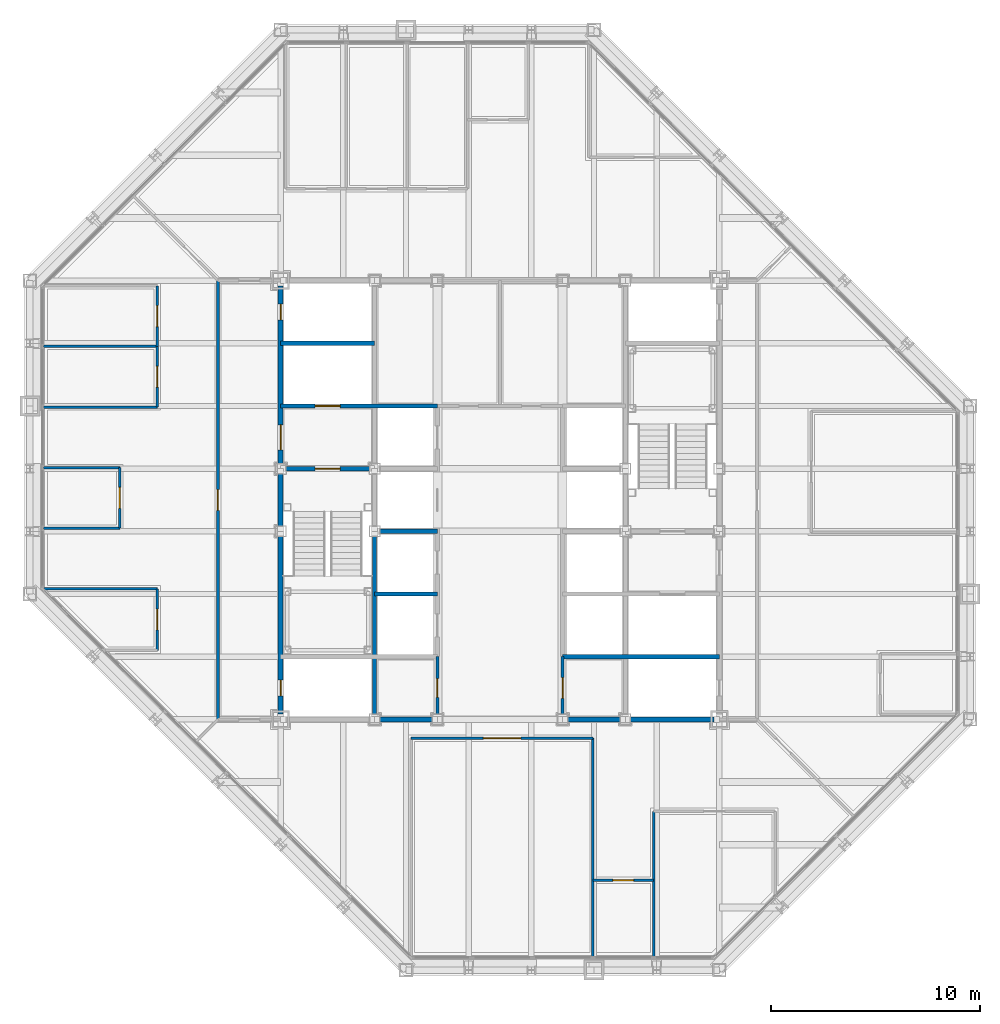
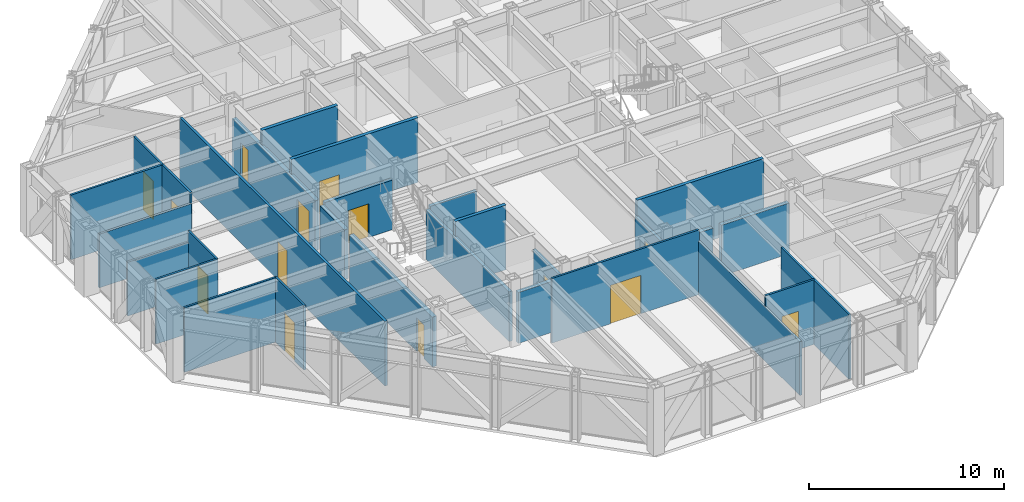
# One storey, part 11 of 16: 29 walls, 14 doors, 14 openings.
"""IFC4 building model written with IfcOpenShell, lengths in metres."""

from ifc_helpers import new_model, si_unit, direction, frame, frame_2d, origin, place, context, subcontext, project, spatial, rectangle, extrude, material, layer, layer_set, type_object, element, fill, save


model = new_model("IFC4")

# Units and contexts
model_context = context("Model", 3, precision=1e-05, world=origin(), true_north=direction((0.0, 1.0)))
body_context = subcontext(model_context, "Body", "Model", "MODEL_VIEW")
ifc_project = project(units=[si_unit("LENGTHUNIT", "METRE"), si_unit("AREAUNIT", "SQUARE_METRE"), si_unit("VOLUMEUNIT", "CUBIC_METRE"), si_unit("PLANEANGLEUNIT", "RADIAN"), si_unit("MASSUNIT", "GRAM", prefix="KILO")], contexts=[model_context])

# Site, building, storey
site_placement = place(None, origin())
site = spatial("IfcSite", under=ifc_project, at=site_placement, CompositionType="ELEMENT")
building_placement = place(site_placement, origin())
building = spatial("IfcBuilding", under=site, at=building_placement, Name="Chuquiago Exchange Tower", CompositionType="ELEMENT")
storey_placement = place(building_placement, frame((0.0, 0.0, 230.699951171875)))
storey = spatial("IfcBuildingStorey", under=building, at=storey_placement, Name="L51", CompositionType="ELEMENT", Elevation=230.699951171875)

# Wall, opening, door
ifc_material_1 = material(Name="Concrete masonry, fully grouted", Category="masonry")
ifc_layer_1 = layer(ifc_material_1, 0.25)
ifc_layer_set_1 = layer_set([ifc_layer_1], Name="W1 core wall 250")
wall_type_1 = type_object("IfcWallType", Name="W1 core wall 250", PredefinedType="SOLIDWALL", material=ifc_layer_set_1)
wall_1_placement = place(storey_placement, frame((12.0, 12.25, 0.0), z_axis=(0.0, 0.0, 1.0), x_axis=(0.0, 1.0, 0.0)))
wall_1 = element("IfcWall", 1, at=wall_1_placement, inside=storey, type_object=wall_type_1, Name="CW-L51-00-0", PredefinedType="SOLIDWALL", context=body_context, shape_type="SweptSolid", body=[
    extrude(rectangle(XDim=8.5, YDim=0.25, at=frame_2d((4.25, 0.0))), origin(), (0.0, 0.0, 1.0), 3.113037109375),
])
opening_1_placement = place(wall_1_placement, frame((0.875, 0.0, 0.0)))
opening_1 = element("IfcOpeningElement", 2, at=opening_1_placement, cuts=wall_1, Name="Opening L51-007", PredefinedType="OPENING", context=body_context, shape_type="SweptSolid", body=[
    extrude(rectangle(XDim=0.75, YDim=2.10009765625, at=frame_2d((0.375, 1.050048828125))), frame((0.0, 0.135009765625, 0.0), z_axis=(0.0, -1.0, 0.0), x_axis=(1.0, 0.0, 0.0)), (0.0, 0.0, 1.0), 0.27001953125),
])
ifc_material_2 = material(Name="Steel door, painted", Category="steel")
door_type_1 = type_object("IfcDoorType", Name="D6 riser access door 750x2100", OperationType="SINGLE_SWING_LEFT", PredefinedType="DOOR", material=ifc_material_2)
door_1_placement = place(opening_1_placement, origin())
door_1 = element("IfcDoor", 3, at=door_1_placement, inside=storey, type_object=door_type_1, Name="Riser RW1 door", OperationType="SINGLE_SWING_LEFT", OverallHeight=2.10009765625, OverallWidth=0.75, PredefinedType="DOOR", context=body_context, shape_type="SweptSolid", body=[
    extrude(rectangle(XDim=0.75, YDim=2.10009765625, at=frame_2d((0.375, 1.050048828125))), frame((0.0, 0.02490234375, 0.0), z_axis=(0.0, -1.0, 0.0), x_axis=(1.0, 0.0, 0.0)), (0.0, 0.0, 1.0), 0.050048828125),
])
fill(opening_1, door_1)

# Wall
wall_2_placement = place(storey_placement, frame((12.0, 21.25, 0.0), z_axis=(0.0, 0.0, 1.0), x_axis=(0.0, 1.0, 0.0)))
element("IfcWall", 4, at=wall_2_placement, inside=storey, type_object=wall_type_1, Name="CW-L51-00-1", PredefinedType="SOLIDWALL", context=body_context, shape_type="SweptSolid", body=[
    extrude(rectangle(XDim=2.5, YDim=0.25, at=frame_2d((1.25, 0.0))), origin(), (0.0, 0.0, 1.0), 3.113037109375),
])

# Wall, openings, doors
wall_3_placement = place(storey_placement, frame((12.0, 24.25, 0.0), z_axis=(0.0, 0.0, 1.0), x_axis=(0.0, 1.0, 0.0)))
wall_3 = element("IfcWall", 5, at=wall_3_placement, inside=storey, type_object=wall_type_1, Name="CW-L51-00-2", PredefinedType="SOLIDWALL", context=body_context, shape_type="SweptSolid", body=[
    extrude(rectangle(XDim=8.5, YDim=0.25, at=frame_2d((4.25, 0.0))), origin(), (0.0, 0.0, 1.0), 3.113037109375),
])
opening_2_placement = place(wall_3_placement, frame((0.64990234375, 0.0, 0.0)))
opening_2 = element("IfcOpeningElement", 6, at=opening_2_placement, cuts=wall_3, Name="Opening L51-002", PredefinedType="OPENING", context=body_context, shape_type="SweptSolid", body=[
    extrude(rectangle(XDim=1.199951171875, YDim=2.10009765625, at=frame_2d((0.60009765625, 1.050048828125))), frame((0.0, 0.135009765625, 0.0), z_axis=(0.0, -1.0, 0.0), x_axis=(1.0, 0.0, 0.0)), (0.0, 0.0, 1.0), 0.27001953125),
])
opening_3_placement = place(wall_3_placement, frame((6.875, 0.0, 0.0)))
opening_3 = element("IfcOpeningElement", 7, at=opening_3_placement, cuts=wall_3, Name="Opening L51-008", PredefinedType="OPENING", context=body_context, shape_type="SweptSolid", body=[
    extrude(rectangle(XDim=0.75, YDim=2.10009765625, at=frame_2d((0.375, 1.050048828125))), frame((0.0, 0.135009765625, 0.0), z_axis=(0.0, -1.0, 0.0), x_axis=(1.0, 0.0, 0.0)), (0.0, 0.0, 1.0), 0.27001953125),
])
ifc_material_3 = material(Name="Steel door, painted", Category="steel")
door_type_2 = type_object("IfcDoorType", Name="D5 firefighting lobby door 1200x2100", OperationType="SINGLE_SWING_LEFT", PredefinedType="DOOR", material=ifc_material_3)
door_2_placement = place(opening_2_placement, frame((1.199951171875, 0.0, 0.0), z_axis=(0.0, 0.0, 1.0), x_axis=(-1.0, 0.0, 0.0)))
door_2 = element("IfcDoor", 8, at=door_2_placement, inside=storey, type_object=door_type_2, Name="Firefighting lobby 1 door", OperationType="SINGLE_SWING_RIGHT", OverallHeight=2.10009765625, OverallWidth=1.199951171875, PredefinedType="DOOR", context=body_context, shape_type="SweptSolid", body=[
    extrude(rectangle(XDim=1.199951171875, YDim=2.10009765625, at=frame_2d((0.60009765625, 1.050048828125))), frame((0.0, 0.02490234375, 0.0), z_axis=(0.0, -1.0, 0.0), x_axis=(1.0, 0.0, 0.0)), (0.0, 0.0, 1.0), 0.050048828125),
])
fill(opening_2, door_2)
door_3_placement = place(opening_3_placement, origin())
door_3 = element("IfcDoor", 9, at=door_3_placement, inside=storey, type_object=door_type_1, Name="Riser RW2 door", OperationType="SINGLE_SWING_RIGHT", OverallHeight=2.10009765625, OverallWidth=0.75, PredefinedType="DOOR", context=body_context, shape_type="SweptSolid", body=[
    extrude(rectangle(XDim=0.75, YDim=2.10009765625, at=frame_2d((0.375, 1.050048828125))), frame((0.0, 0.02490234375, 0.0), z_axis=(0.0, -1.0, 0.0), x_axis=(1.0, 0.0, 0.0)), (0.0, 0.0, 1.0), 0.050048828125),
])
fill(opening_3, door_3)

# Walls
for number, where, z_axis, x_axis, name in (
    (10, (16.75, 12.0, 0.0), (0.0, 0.0, 1.0), (1.0, 0.0, 0.0), "CW-L51-01-1"),
    (11, (25.75, 12.0, 0.0), (0.0, 0.0, 1.0), (1.0, 0.0, 0.0), "CW-L51-02-0"),
):
    element("IfcWall", number, at=place(storey_placement, frame(where, z_axis=z_axis, x_axis=x_axis)), inside=storey, type_object=wall_type_1, Name=name, PredefinedType="SOLIDWALL", context=body_context, shape_type="SweptSolid", body=[
        extrude(rectangle(XDim=2.5, YDim=0.25, at=frame_2d((1.25, 0.0))), origin(), (0.0, 0.0, 1.0), 3.181640625),
    ])
wall_4_placement = place(storey_placement, frame((28.75, 12.0, 0.0), z_axis=(0.0, 0.0, 1.0), x_axis=(1.0, 0.0, 0.0)))
element("IfcWall", 12, at=wall_4_placement, inside=storey, type_object=wall_type_1, Name="CW-L51-02-1", PredefinedType="SOLIDWALL", context=body_context, shape_type="SweptSolid", body=[
    extrude(rectangle(XDim=4.0, YDim=0.25, at=frame_2d((2.0, 0.0))), origin(), (0.0, 0.0, 1.0), 3.181640625),
])

# Wall, opening, door
ifc_material_4 = material(Name="Gypsum board on steel studs, acoustic insulation", Category="steel")
ifc_layer_2 = layer(ifc_material_4, 0.14990234375)
ifc_layer_set_2 = layer_set([ifc_layer_2], Name="W11 corridor wall 150")
wall_type_2 = type_object("IfcWallType", Name="W11 corridor wall 150", PredefinedType="PARTITIONING", material=ifc_layer_set_2)
wall_5_placement = place(storey_placement, frame((9.0, 12.0, 0.0), z_axis=(0.0, 0.0, 1.0), x_axis=(0.0, 1.0, 0.0)))
wall_5 = element("IfcWall", 13, at=wall_5_placement, inside=storey, type_object=wall_type_2, Name="PW-L51-GW0", PredefinedType="PARTITIONING", context=body_context, shape_type="SweptSolid", body=[
    extrude(rectangle(XDim=21.0, YDim=0.14990234375, at=frame_2d((10.5, 0.0))), origin(), (0.0, 0.0, 1.0), 4.0400390625),
])
opening_4_placement = place(wall_5_placement, frame((10.0, 0.0, 0.0)))
opening_4 = element("IfcOpeningElement", 14, at=opening_4_placement, cuts=wall_5, Name="Opening L51-033", PredefinedType="OPENING", context=body_context, shape_type="SweptSolid", body=[
    extrude(rectangle(XDim=1.0, YDim=2.39990234375, at=frame_2d((0.5, 1.199951171875))), frame((0.0, 0.0849609375, 0.0), z_axis=(0.0, -1.0, 0.0), x_axis=(1.0, 0.0, 0.0)), (0.0, 0.0, 1.0), 0.169921875),
])
ifc_material_5 = material(Name="Timber door, laminate faced", Category="wood")
door_type_3 = type_object("IfcDoorType", Name="D9 room door 1000x2400", OperationType="SINGLE_SWING_LEFT", PredefinedType="DOOR", material=ifc_material_5)
door_4_placement = place(opening_4_placement, origin())
door_4 = element("IfcDoor", 15, at=door_4_placement, inside=storey, type_object=door_type_3, Name="Team area door", OperationType="SINGLE_SWING_LEFT", OverallHeight=2.39990234375, OverallWidth=1.0, PredefinedType="DOOR", context=body_context, shape_type="SweptSolid", body=[
    extrude(rectangle(XDim=1.0, YDim=2.39990234375, at=frame_2d((0.5, 1.199951171875))), frame((0.0, 0.02490234375, 0.0), z_axis=(0.0, -1.0, 0.0), x_axis=(1.0, 0.0, 0.0)), (0.0, 0.0, 1.0), 0.050048828125),
])
fill(opening_4, door_4)

# Wall
ifc_material_6 = material(Name="Concrete masonry, fully grouted", Category="masonry")
ifc_layer_3 = layer(ifc_material_6, 0.199951171875)
ifc_layer_set_3 = layer_set([ifc_layer_3], Name="W2 shaft wall 200")
wall_type_3 = type_object("IfcWallType", Name="W2 shaft wall 200", PredefinedType="SOLIDWALL", material=ifc_layer_set_3)
wall_6_placement = place(storey_placement, frame((25.5, 15.0, 0.0), z_axis=(0.0, 0.0, 1.0), x_axis=(1.0, 0.0, 0.0)))
element("IfcWall", 16, at=wall_6_placement, inside=storey, type_object=wall_type_3, Name="CW-L51-04-0", PredefinedType="SOLIDWALL", context=body_context, shape_type="SweptSolid", body=[
    extrude(rectangle(XDim=7.5, YDim=0.199951171875, at=frame_2d((3.75, 0.0))), origin(), (0.0, 0.0, 1.0), 4.0400390625),
])

# Wall, opening, door
wall_7_placement = place(storey_placement, frame((12.25, 24.0, 0.0), z_axis=(0.0, 0.0, 1.0), x_axis=(1.0, 0.0, 0.0)))
wall_7 = element("IfcWall", 17, at=wall_7_placement, inside=storey, type_object=wall_type_3, Name="CW-L51-05-0", PredefinedType="SOLIDWALL", context=body_context, shape_type="SweptSolid", body=[
    extrude(rectangle(XDim=4.0, YDim=0.199951171875, at=frame_2d((2.0, 0.0))), origin(), (0.0, 0.0, 1.0), 3.090087890625),
])
opening_5_placement = place(wall_7_placement, frame((1.39990234375, 0.0, 0.0)))
opening_5 = element("IfcOpeningElement", 18, at=opening_5_placement, cuts=wall_7, Name="Opening L51-001", PredefinedType="OPENING", context=body_context, shape_type="SweptSolid", body=[
    extrude(rectangle(XDim=1.199951171875, YDim=2.10009765625, at=frame_2d((0.60009765625, 1.050048828125))), frame((0.0, 0.10986328125, 0.0), z_axis=(0.0, -1.0, 0.0), x_axis=(1.0, 0.0, 0.0)), (0.0, 0.0, 1.0), 0.219970703125),
])
ifc_material_7 = material(Name="Steel door, painted", Category="steel")
door_type_4 = type_object("IfcDoorType", Name="D4 stair door 1200x2100", OperationType="SINGLE_SWING_LEFT", PredefinedType="DOOR", material=ifc_material_7)
door_5_placement = place(opening_5_placement, frame((1.199951171875, 0.0, 0.0), z_axis=(0.0, 0.0, 1.0), x_axis=(-1.0, 0.0, 0.0)))
door_5 = element("IfcDoor", 19, at=door_5_placement, inside=storey, type_object=door_type_4, Name="Stair ST1 door", OperationType="SINGLE_SWING_RIGHT", OverallHeight=2.10009765625, OverallWidth=1.199951171875, PredefinedType="DOOR", context=body_context, shape_type="SweptSolid", body=[
    extrude(rectangle(XDim=1.199951171875, YDim=2.10009765625, at=frame_2d((0.60009765625, 1.050048828125))), frame((0.0, 0.02490234375, 0.0), z_axis=(0.0, -1.0, 0.0), x_axis=(1.0, 0.0, 0.0)), (0.0, 0.0, 1.0), 0.050048828125),
])
fill(opening_5, door_5)

wall_8_placement = place(storey_placement, frame((12.0, 27.0, 0.0), z_axis=(0.0, 0.0, 1.0), x_axis=(1.0, 0.0, 0.0)))
wall_8 = element("IfcWall", 20, at=wall_8_placement, inside=storey, type_object=wall_type_3, Name="CW-L51-07-0", PredefinedType="SOLIDWALL", context=body_context, shape_type="SweptSolid", body=[
    extrude(rectangle(XDim=7.5, YDim=0.199951171875, at=frame_2d((3.75, 0.0))), origin(), (0.0, 0.0, 1.0), 4.0400390625),
])
opening_6_placement = place(wall_8_placement, frame((1.64990234375, 0.0, 0.0)))
opening_6 = element("IfcOpeningElement", 21, at=opening_6_placement, cuts=wall_8, Name="Opening L51-005", PredefinedType="OPENING", context=body_context, shape_type="SweptSolid", body=[
    extrude(rectangle(XDim=1.199951171875, YDim=2.10009765625, at=frame_2d((0.60009765625, 1.050048828125))), frame((0.0, 0.10986328125, 0.0), z_axis=(0.0, -1.0, 0.0), x_axis=(1.0, 0.0, 0.0)), (0.0, 0.0, 1.0), 0.219970703125),
])
ifc_material_8 = material(Name="Stainless steel lift landing door", Category="steel")
door_type_5 = type_object("IfcDoorType", Name="LD2 firefighting lift landing door 1200x2100", OperationType="DOUBLE_DOOR_SLIDING", PredefinedType="DOOR", material=ifc_material_8)
door_6_placement = place(opening_6_placement, origin())
door_6 = element("IfcDoor", 22, at=door_6_placement, inside=storey, type_object=door_type_5, Name="Firefighting lift FL1 landing door", OperationType="DOUBLE_DOOR_SLIDING", OverallHeight=2.10009765625, OverallWidth=1.199951171875, PredefinedType="DOOR", context=body_context, shape_type="SweptSolid", body=[
    extrude(rectangle(XDim=1.199951171875, YDim=2.10009765625, at=frame_2d((0.60009765625, 1.050048828125))), frame((0.0, 0.02490234375, 0.0), z_axis=(0.0, -1.0, 0.0), x_axis=(1.0, 0.0, 0.0)), (0.0, 0.0, 1.0), 0.050048828125),
])
fill(opening_6, door_6)

# Walls
wall_9_placement = place(storey_placement, frame((12.0, 30.0, 0.0), z_axis=(0.0, 0.0, 1.0), x_axis=(1.0, 0.0, 0.0)))
element("IfcWall", 23, at=wall_9_placement, inside=storey, type_object=wall_type_3, Name="CW-L51-09-0", PredefinedType="SOLIDWALL", context=body_context, shape_type="SweptSolid", body=[
    extrude(rectangle(XDim=4.5, YDim=0.199951171875, at=frame_2d((2.25, 0.0))), origin(), (0.0, 0.0, 1.0), 4.0400390625),
])
wall_10_placement = place(storey_placement, frame((16.5, 12.25, 0.0), z_axis=(0.0, 0.0, 1.0), x_axis=(0.0, 1.0, 0.0)))
element("IfcWall", 24, at=wall_10_placement, inside=storey, type_object=wall_type_3, Name="CW-L51-13-0", PredefinedType="SOLIDWALL", context=body_context, shape_type="SweptSolid", body=[
    extrude(rectangle(XDim=8.5, YDim=0.199951171875, at=frame_2d((4.25, 0.0))), origin(), (0.0, 0.0, 1.0), 3.113037109375),
])
wall_11_placement = place(storey_placement, frame((16.5, 18.0, 0.0), z_axis=(0.0, 0.0, 1.0), x_axis=(1.0, 0.0, 0.0)))
element("IfcWall", 25, at=wall_11_placement, inside=storey, type_object=wall_type_3, Name="CW-L51-14-0", PredefinedType="SOLIDWALL", context=body_context, shape_type="SweptSolid", body=[
    extrude(rectangle(XDim=3.0, YDim=0.199951171875, at=frame_2d((1.5, 0.0))), origin(), (0.0, 0.0, 1.0), 4.0400390625),
])
wall_12_placement = place(storey_placement, frame((16.75, 21.0, 0.0), z_axis=(0.0, 0.0, 1.0), x_axis=(1.0, 0.0, 0.0)))
element("IfcWall", 26, at=wall_12_placement, inside=storey, type_object=wall_type_3, Name="CW-L51-16-0", PredefinedType="SOLIDWALL", context=body_context, shape_type="SweptSolid", body=[
    extrude(rectangle(XDim=2.75, YDim=0.199951171875, at=frame_2d((1.375, 0.0))), origin(), (0.0, 0.0, 1.0), 3.090087890625),
])

# Wall, opening, door
ifc_material_9 = material(Name="Gypsum board on steel studs", Category="steel")
ifc_layer_4 = layer(ifc_material_9, 0.14990234375)
ifc_layer_set_4 = layer_set([ifc_layer_4], Name="W3 core partition 150")
wall_type_4 = type_object("IfcWallType", Name="W3 core partition 150", PredefinedType="PARTITIONING", material=ifc_layer_set_4)
wall_13_placement = place(storey_placement, frame((19.5, 12.25, 0.0), z_axis=(0.0, 0.0, 1.0), x_axis=(0.0, 1.0, 0.0)))
wall_13 = element("IfcWall", 27, at=wall_13_placement, inside=storey, type_object=wall_type_4, Name="CW-L51-18-0", PredefinedType="PARTITIONING", context=body_context, shape_type="SweptSolid", body=[
    extrude(rectangle(XDim=2.75, YDim=0.14990234375, at=frame_2d((1.375, 0.0))), origin(), (0.0, 0.0, 1.0), 3.064697265625),
])
opening_7_placement = place(wall_13_placement, frame((0.800048828125, 0.0, 0.0)))
opening_7 = element("IfcOpeningElement", 28, at=opening_7_placement, cuts=wall_13, Name="Opening L51-014", PredefinedType="OPENING", context=body_context, shape_type="SweptSolid", body=[
    extrude(rectangle(XDim=0.89990234375, YDim=2.10009765625, at=frame_2d((0.449951171875, 1.050048828125))), frame((0.0, 0.0849609375, 0.0), z_axis=(0.0, -1.0, 0.0), x_axis=(1.0, 0.0, 0.0)), (0.0, 0.0, 1.0), 0.169921875),
])
ifc_material_10 = material(Name="Timber door, laminate faced", Category="wood")
door_type_6 = type_object("IfcDoorType", Name="D7 toilet door 900x2100", OperationType="SINGLE_SWING_LEFT", PredefinedType="DOOR", material=ifc_material_10)
door_7_placement = place(opening_7_placement, frame((0.89990234375, 0.0, 0.0), z_axis=(0.0, 0.0, 1.0), x_axis=(-1.0, 0.0, 0.0)))
door_7 = element("IfcDoor", 29, at=door_7_placement, inside=storey, type_object=door_type_6, Name="Cleaner door", OperationType="SINGLE_SWING_RIGHT", OverallHeight=2.10009765625, OverallWidth=0.89990234375, PredefinedType="DOOR", context=body_context, shape_type="SweptSolid", body=[
    extrude(rectangle(XDim=0.89990234375, YDim=2.10009765625, at=frame_2d((0.449951171875, 1.050048828125))), frame((0.0, 0.02490234375, 0.0), z_axis=(0.0, -1.0, 0.0), x_axis=(1.0, 0.0, 0.0)), (0.0, 0.0, 1.0), 0.050048828125),
])
fill(opening_7, door_7)

wall_14_placement = place(storey_placement, frame((25.5, 12.25, 0.0), z_axis=(0.0, 0.0, 1.0), x_axis=(0.0, 1.0, 0.0)))
wall_14 = element("IfcWall", 30, at=wall_14_placement, inside=storey, type_object=wall_type_4, Name="CW-L51-21-0", PredefinedType="PARTITIONING", context=body_context, shape_type="SweptSolid", body=[
    extrude(rectangle(XDim=2.75, YDim=0.14990234375, at=frame_2d((1.375, 0.0))), origin(), (0.0, 0.0, 1.0), 3.064697265625),
])
opening_8_placement = place(wall_14_placement, frame((0.75, 0.0, 0.0)))
opening_8 = element("IfcOpeningElement", 31, at=opening_8_placement, cuts=wall_14, Name="Opening L51-013", PredefinedType="OPENING", context=body_context, shape_type="SweptSolid", body=[
    extrude(rectangle(XDim=1.0, YDim=2.10009765625, at=frame_2d((0.5, 1.050048828125))), frame((0.0, 0.0849609375, 0.0), z_axis=(0.0, -1.0, 0.0), x_axis=(1.0, 0.0, 0.0)), (0.0, 0.0, 1.0), 0.169921875),
])
ifc_material_11 = material(Name="Timber door, laminate faced", Category="wood")
door_type_7 = type_object("IfcDoorType", Name="D8 accessible toilet door 1000x2100", OperationType="SLIDING_TO_LEFT", PredefinedType="DOOR", material=ifc_material_11)
door_8_placement = place(opening_8_placement, origin())
door_8 = element("IfcDoor", 32, at=door_8_placement, inside=storey, type_object=door_type_7, Name="Accessible WC door", OperationType="SLIDING_TO_LEFT", OverallHeight=2.10009765625, OverallWidth=1.0, PredefinedType="DOOR", context=body_context, shape_type="SweptSolid", body=[
    extrude(rectangle(XDim=1.0, YDim=2.10009765625, at=frame_2d((0.5, 1.050048828125))), frame((0.0, 0.02490234375, 0.0), z_axis=(0.0, -1.0, 0.0), x_axis=(1.0, 0.0, 0.0)), (0.0, 0.0, 1.0), 0.050048828125),
])
fill(opening_8, door_8)

# Walls
ifc_material_12 = material(Name="Gypsum board on steel studs", Category="steel")
ifc_layer_5 = layer(ifc_material_12, 0.1201171875)
ifc_layer_set_5 = layer_set([ifc_layer_5], Name="W4 partition 120")
wall_type_5 = type_object("IfcWallType", Name="W4 partition 120", PredefinedType="PARTITIONING", material=ifc_layer_set_5)
wall_15_placement = place(storey_placement, frame((26.9501953125, 0.652587890625, 0.0), z_axis=(0.0, 0.0, 1.0), x_axis=(0.0, 1.0, 0.0)))
element("IfcWall", 33, at=wall_15_placement, inside=storey, type_object=wall_type_5, Name="PW-L51-S02695", PredefinedType="PARTITIONING", context=body_context, shape_type="SweptSolid", body=[
    extrude(rectangle(XDim=10.447509765625, YDim=0.1201171875, at=frame_2d((5.2236328125, 0.0))), origin(), (0.0, 0.0, 1.0), 3.35693359375),
])
wall_16_placement = place(storey_placement, frame((29.850830078125, 0.652587890625, 0.0), z_axis=(0.0, 0.0, 1.0), x_axis=(0.0, 1.0, 0.0)))
element("IfcWall", 34, at=wall_16_placement, inside=storey, type_object=wall_type_5, Name="PW-L51-S02985", PredefinedType="PARTITIONING", context=body_context, shape_type="SweptSolid", body=[
    extrude(rectangle(XDim=6.947509765625, YDim=0.1201171875, at=frame_2d((3.4736328125, 0.0))), origin(), (0.0, 0.0, 1.0), 4.0400390625),
])

# Wall, opening, door
wall_17_placement = place(storey_placement, frame((18.24853515625, 11.10009765625, 0.0), z_axis=(0.0, 0.0, 1.0), x_axis=(1.0, 0.0, 0.0)))
wall_17 = element("IfcWall", 35, at=wall_17_placement, inside=storey, type_object=wall_type_5, Name="PW-L51-SF01825", PredefinedType="PARTITIONING", context=body_context, shape_type="SweptSolid", body=[
    extrude(rectangle(XDim=8.70166015625, YDim=0.1201171875, at=frame_2d((4.350830078125, 0.0))), origin(), (0.0, 0.0, 1.0), 4.0400390625),
])
opening_9_placement = place(wall_17_placement, frame((3.450927734375, 0.0, 0.0)))
opening_9 = element("IfcOpeningElement", 36, at=opening_9_placement, cuts=wall_17, Name="Opening L51-019", PredefinedType="OPENING", context=body_context, shape_type="SweptSolid", body=[
    extrude(rectangle(XDim=1.800048828125, YDim=2.39990234375, at=frame_2d((0.89990234375, 1.199951171875))), frame((0.0, 0.070068359375, 0.0), z_axis=(0.0, -1.0, 0.0), x_axis=(1.0, 0.0, 0.0)), (0.0, 0.0, 1.0), 0.14013671875),
])
ifc_material_13 = material(Name="Timber door pair, laminate faced", Category="wood")
door_type_8 = type_object("IfcDoorType", Name="D15 double room door 1800x2400", OperationType="DOUBLE_DOOR_DOUBLE_SWING", PredefinedType="DOOR", material=ifc_material_13)
door_9_placement = place(opening_9_placement, origin())
door_9 = element("IfcDoor", 37, at=door_9_placement, inside=storey, type_object=door_type_8, Name="Trading room door", OperationType="DOUBLE_DOOR_DOUBLE_SWING", OverallHeight=2.39990234375, OverallWidth=1.800048828125, PredefinedType="DOOR", context=body_context, shape_type="SweptSolid", body=[
    extrude(rectangle(XDim=1.800048828125, YDim=2.39990234375, at=frame_2d((0.89990234375, 1.199951171875))), frame((0.0, 0.02490234375, 0.0), z_axis=(0.0, -1.0, 0.0), x_axis=(1.0, 0.0, 0.0)), (0.0, 0.0, 1.0), 0.050048828125),
])
fill(opening_9, door_9)

wall_18_placement = place(storey_placement, frame((26.9501953125, 4.300048828125, 0.0), z_axis=(0.0, 0.0, 1.0), x_axis=(1.0, 0.0, 0.0)))
wall_18 = element("IfcWall", 38, at=wall_18_placement, inside=storey, type_object=wall_type_5, Name="PW-L51-SF02695", PredefinedType="PARTITIONING", context=body_context, shape_type="SweptSolid", body=[
    extrude(rectangle(XDim=2.900634765625, YDim=0.1201171875, at=frame_2d((1.4501953125, 0.0))), origin(), (0.0, 0.0, 1.0), 4.0400390625),
])
opening_10_placement = place(wall_18_placement, frame((0.9501953125, 0.0, 0.0)))
opening_10 = element("IfcOpeningElement", 39, at=opening_10_placement, cuts=wall_18, Name="Opening L51-020", PredefinedType="OPENING", context=body_context, shape_type="SweptSolid", body=[
    extrude(rectangle(XDim=1.0, YDim=2.39990234375, at=frame_2d((0.5, 1.199951171875))), frame((0.0, 0.070068359375, 0.0), z_axis=(0.0, -1.0, 0.0), x_axis=(1.0, 0.0, 0.0)), (0.0, 0.0, 1.0), 0.14013671875),
])
ifc_material_14 = material(Name="Timber frame door, full height glazed panel", Category="wood")
door_type_9 = type_object("IfcDoorType", Name="D14 glazed meeting room door 1000x2400", OperationType="SINGLE_SWING_LEFT", PredefinedType="DOOR", material=ifc_material_14)
door_10_placement = place(opening_10_placement, frame((1.0, 0.0, 0.0), z_axis=(0.0, 0.0, 1.0), x_axis=(-1.0, 0.0, 0.0)))
door_10 = element("IfcDoor", 40, at=door_10_placement, inside=storey, type_object=door_type_9, Name="Focus room door", OperationType="SINGLE_SWING_RIGHT", OverallHeight=2.39990234375, OverallWidth=1.0, PredefinedType="DOOR", context=body_context, shape_type="SweptSolid", body=[
    extrude(rectangle(XDim=1.0, YDim=2.39990234375, at=frame_2d((0.5, 1.199951171875))), frame((0.0, 0.02490234375, 0.0), z_axis=(0.0, -1.0, 0.0), x_axis=(1.0, 0.0, 0.0)), (0.0, 0.0, 1.0), 0.050048828125),
])
fill(opening_10, door_10)

# Walls
wall_19_placement = place(storey_placement, frame((0.666015625, 18.24853515625, 0.0), z_axis=(0.0, 0.0, 1.0), x_axis=(1.0, 0.0, 0.0)))
element("IfcWall", 41, at=wall_19_placement, inside=storey, type_object=wall_type_5, Name="PW-L51-W01825", PredefinedType="PARTITIONING", context=body_context, shape_type="SweptSolid", body=[
    extrude(rectangle(XDim=5.43408203125, YDim=0.1201171875, at=frame_2d((2.717041015625, 0.0))), origin(), (0.0, 0.0, 1.0), 4.0400390625),
])
wall_20_placement = place(storey_placement, frame((0.652587890625, 21.149169921875, 0.0), z_axis=(0.0, 0.0, 1.0), x_axis=(1.0, 0.0, 0.0)))
element("IfcWall", 42, at=wall_20_placement, inside=storey, type_object=wall_type_5, Name="PW-L51-W02115", PredefinedType="PARTITIONING", context=body_context, shape_type="SweptSolid", body=[
    extrude(rectangle(XDim=3.6474609375, YDim=0.1201171875, at=frame_2d((1.82373046875, 0.0))), origin(), (0.0, 0.0, 1.0), 4.0400390625),
])
wall_21_placement = place(storey_placement, frame((0.652587890625, 24.0498046875, 0.0), z_axis=(0.0, 0.0, 1.0), x_axis=(1.0, 0.0, 0.0)))
element("IfcWall", 43, at=wall_21_placement, inside=storey, type_object=wall_type_5, Name="PW-L51-W02405", PredefinedType="PARTITIONING", context=body_context, shape_type="SweptSolid", body=[
    extrude(rectangle(XDim=3.6474609375, YDim=0.1201171875, at=frame_2d((1.82373046875, 0.0))), origin(), (0.0, 0.0, 1.0), 3.35693359375),
])
wall_22_placement = place(storey_placement, frame((0.652587890625, 26.9501953125, 0.0), z_axis=(0.0, 0.0, 1.0), x_axis=(1.0, 0.0, 0.0)))
element("IfcWall", 44, at=wall_22_placement, inside=storey, type_object=wall_type_5, Name="PW-L51-W02695", PredefinedType="PARTITIONING", context=body_context, shape_type="SweptSolid", body=[
    extrude(rectangle(XDim=5.447509765625, YDim=0.1201171875, at=frame_2d((2.7236328125, 0.0))), origin(), (0.0, 0.0, 1.0), 3.35693359375),
])
wall_23_placement = place(storey_placement, frame((0.652587890625, 29.850830078125, 0.0), z_axis=(0.0, 0.0, 1.0), x_axis=(1.0, 0.0, 0.0)))
element("IfcWall", 45, at=wall_23_placement, inside=storey, type_object=wall_type_5, Name="PW-L51-W02985", PredefinedType="PARTITIONING", context=body_context, shape_type="SweptSolid", body=[
    extrude(rectangle(XDim=5.447509765625, YDim=0.1201171875, at=frame_2d((2.7236328125, 0.0))), origin(), (0.0, 0.0, 1.0), 4.0400390625),
])

# Wall, opening, door
wall_24_placement = place(storey_placement, frame((6.10009765625, 15.30712890625, 0.0), z_axis=(0.0, 0.0, 1.0), x_axis=(0.0, 1.0, 0.0)))
wall_24 = element("IfcWall", 46, at=wall_24_placement, inside=storey, type_object=wall_type_5, Name="PW-L51-WF01531", PredefinedType="PARTITIONING", context=body_context, shape_type="SweptSolid", body=[
    extrude(rectangle(XDim=2.94140625, YDim=0.1201171875, at=frame_2d((1.470703125, 0.0))), origin(), (0.0, 0.0, 1.0), 4.0400390625),
])
opening_11_placement = place(wall_24_placement, frame((0.970703125, 0.0, 0.0)))
opening_11 = element("IfcOpeningElement", 47, at=opening_11_placement, cuts=wall_24, Name="Opening L51-029", PredefinedType="OPENING", context=body_context, shape_type="SweptSolid", body=[
    extrude(rectangle(XDim=1.0, YDim=2.39990234375, at=frame_2d((0.5, 1.199951171875))), frame((0.0, 0.070068359375, 0.0), z_axis=(0.0, -1.0, 0.0), x_axis=(1.0, 0.0, 0.0)), (0.0, 0.0, 1.0), 0.14013671875),
])
door_11_placement = place(opening_11_placement, origin())
door_11 = element("IfcDoor", 48, at=door_11_placement, inside=storey, type_object=door_type_9, Name="Meeting room door", OperationType="SINGLE_SWING_RIGHT", OverallHeight=2.39990234375, OverallWidth=1.0, PredefinedType="DOOR", context=body_context, shape_type="SweptSolid", body=[
    extrude(rectangle(XDim=1.0, YDim=2.39990234375, at=frame_2d((0.5, 1.199951171875))), frame((0.0, 0.02490234375, 0.0), z_axis=(0.0, -1.0, 0.0), x_axis=(1.0, 0.0, 0.0)), (0.0, 0.0, 1.0), 0.050048828125),
])
fill(opening_11, door_11)

wall_25_placement = place(storey_placement, frame((4.300048828125, 21.149169921875, 0.0), z_axis=(0.0, 0.0, 1.0), x_axis=(0.0, 1.0, 0.0)))
wall_25 = element("IfcWall", 49, at=wall_25_placement, inside=storey, type_object=wall_type_5, Name="PW-L51-WF02115", PredefinedType="PARTITIONING", context=body_context, shape_type="SweptSolid", body=[
    extrude(rectangle(XDim=2.900634765625, YDim=0.1201171875, at=frame_2d((1.4501953125, 0.0))), origin(), (0.0, 0.0, 1.0), 4.0400390625),
])
opening_12_placement = place(wall_25_placement, frame((0.9501953125, 0.0, 0.0)))
opening_12 = element("IfcOpeningElement", 50, at=opening_12_placement, cuts=wall_25, Name="Opening L51-030", PredefinedType="OPENING", context=body_context, shape_type="SweptSolid", body=[
    extrude(rectangle(XDim=1.0, YDim=2.39990234375, at=frame_2d((0.5, 1.199951171875))), frame((0.0, 0.070068359375, 0.0), z_axis=(0.0, -1.0, 0.0), x_axis=(1.0, 0.0, 0.0)), (0.0, 0.0, 1.0), 0.14013671875),
])
door_12_placement = place(opening_12_placement, origin())
door_12 = element("IfcDoor", 51, at=door_12_placement, inside=storey, type_object=door_type_9, Name="Focus room door", OperationType="SINGLE_SWING_LEFT", OverallHeight=2.39990234375, OverallWidth=1.0, PredefinedType="DOOR", context=body_context, shape_type="SweptSolid", body=[
    extrude(rectangle(XDim=1.0, YDim=2.39990234375, at=frame_2d((0.5, 1.199951171875))), frame((0.0, 0.02490234375, 0.0), z_axis=(0.0, -1.0, 0.0), x_axis=(1.0, 0.0, 0.0)), (0.0, 0.0, 1.0), 0.050048828125),
])
fill(opening_12, door_12)

wall_26_placement = place(storey_placement, frame((6.10009765625, 26.9501953125, 0.0), z_axis=(0.0, 0.0, 1.0), x_axis=(0.0, 1.0, 0.0)))
wall_26 = element("IfcWall", 52, at=wall_26_placement, inside=storey, type_object=wall_type_5, Name="PW-L51-WF02695", PredefinedType="PARTITIONING", context=body_context, shape_type="SweptSolid", body=[
    extrude(rectangle(XDim=2.900634765625, YDim=0.1201171875, at=frame_2d((1.4501953125, 0.0))), origin(), (0.0, 0.0, 1.0), 4.0400390625),
])
opening_13_placement = place(wall_26_placement, frame((0.9501953125, 0.0, 0.0)))
opening_13 = element("IfcOpeningElement", 53, at=opening_13_placement, cuts=wall_26, Name="Opening L51-031", PredefinedType="OPENING", context=body_context, shape_type="SweptSolid", body=[
    extrude(rectangle(XDim=1.0, YDim=2.39990234375, at=frame_2d((0.5, 1.199951171875))), frame((0.0, 0.070068359375, 0.0), z_axis=(0.0, -1.0, 0.0), x_axis=(1.0, 0.0, 0.0)), (0.0, 0.0, 1.0), 0.14013671875),
])
door_13_placement = place(opening_13_placement, origin())
door_13 = element("IfcDoor", 54, at=door_13_placement, inside=storey, type_object=door_type_3, Name="Office door", OperationType="SINGLE_SWING_LEFT", OverallHeight=2.39990234375, OverallWidth=1.0, PredefinedType="DOOR", context=body_context, shape_type="SweptSolid", body=[
    extrude(rectangle(XDim=1.0, YDim=2.39990234375, at=frame_2d((0.5, 1.199951171875))), frame((0.0, 0.02490234375, 0.0), z_axis=(0.0, -1.0, 0.0), x_axis=(1.0, 0.0, 0.0)), (0.0, 0.0, 1.0), 0.050048828125),
])
fill(opening_13, door_13)

wall_27_placement = place(storey_placement, frame((6.10009765625, 29.850830078125, 0.0), z_axis=(0.0, 0.0, 1.0), x_axis=(0.0, 1.0, 0.0)))
wall_27 = element("IfcWall", 55, at=wall_27_placement, inside=storey, type_object=wall_type_5, Name="PW-L51-WF02985", PredefinedType="PARTITIONING", context=body_context, shape_type="SweptSolid", body=[
    extrude(rectangle(XDim=2.900634765625, YDim=0.1201171875, at=frame_2d((1.4501953125, 0.0))), origin(), (0.0, 0.0, 1.0), 4.0400390625),
])
opening_14_placement = place(wall_27_placement, frame((0.9501953125, 0.0, 0.0)))
opening_14 = element("IfcOpeningElement", 56, at=opening_14_placement, cuts=wall_27, Name="Opening L51-032", PredefinedType="OPENING", context=body_context, shape_type="SweptSolid", body=[
    extrude(rectangle(XDim=1.0, YDim=2.39990234375, at=frame_2d((0.5, 1.199951171875))), frame((0.0, 0.070068359375, 0.0), z_axis=(0.0, -1.0, 0.0), x_axis=(1.0, 0.0, 0.0)), (0.0, 0.0, 1.0), 0.14013671875),
])
door_14_placement = place(opening_14_placement, origin())
door_14 = element("IfcDoor", 57, at=door_14_placement, inside=storey, type_object=door_type_3, Name="Office door", OperationType="SINGLE_SWING_LEFT", OverallHeight=2.39990234375, OverallWidth=1.0, PredefinedType="DOOR", context=body_context, shape_type="SweptSolid", body=[
    extrude(rectangle(XDim=1.0, YDim=2.39990234375, at=frame_2d((0.5, 1.199951171875))), frame((0.0, 0.02490234375, 0.0), z_axis=(0.0, -1.0, 0.0), x_axis=(1.0, 0.0, 0.0)), (0.0, 0.0, 1.0), 0.050048828125),
])
fill(opening_14, door_14)

save(model, "model.ifc")
